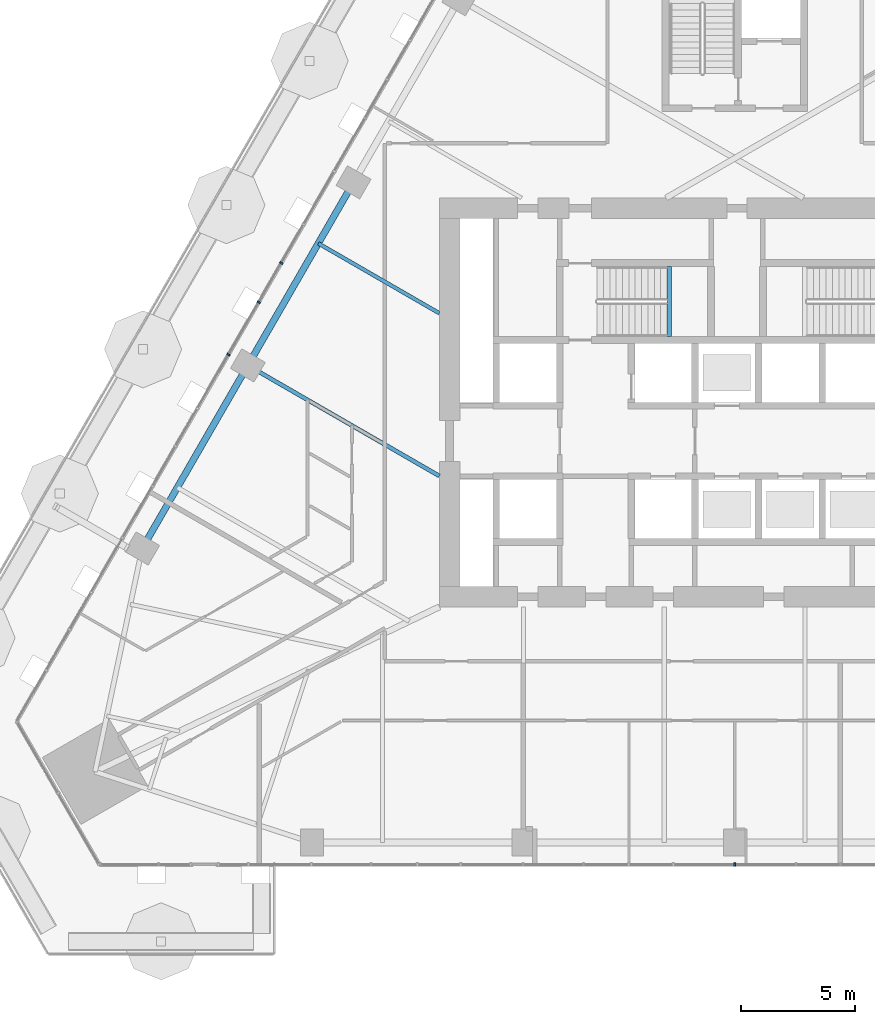
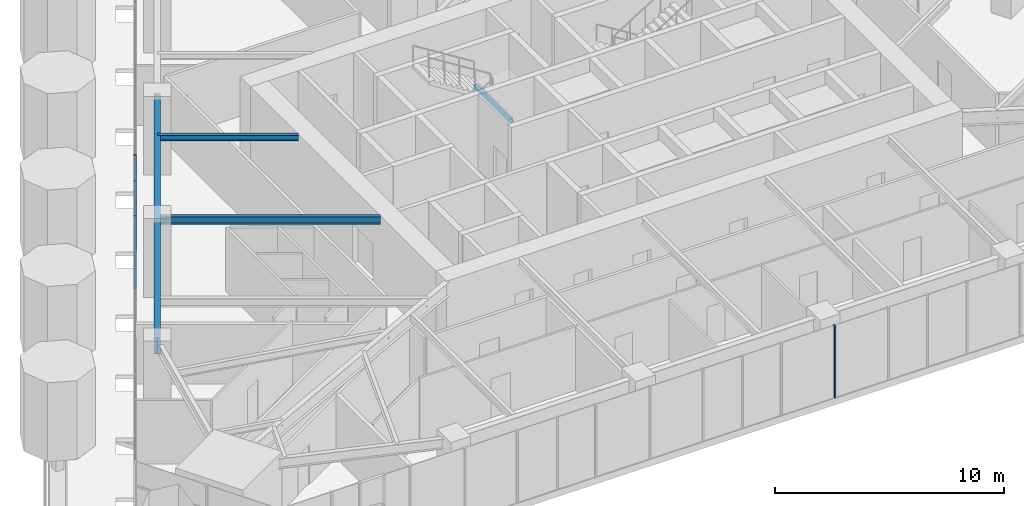
# One storey, part 3 of 25: 4 beams, 4 members, 2 elements without a shape of their own.
"""IFC4 building model written with IfcOpenShell, lengths in metres."""

from ifc_helpers import new_model, si_unit, direction, frame, origin, origin_2d, place, context, subcontext, project, spatial, rectangle, i_section, extrude, material, layer, layer_set, material_profile, profile_set, type_object, element, aggregate, save


model = new_model("IFC4")

# Units and contexts
model_context = context("Model", 3, precision=1e-05, world=origin(), true_north=direction((0.0, 1.0)))
body_context = subcontext(model_context, "Body", "Model", "MODEL_VIEW")
ifc_project = project(units=[si_unit("LENGTHUNIT", "METRE"), si_unit("AREAUNIT", "SQUARE_METRE"), si_unit("VOLUMEUNIT", "CUBIC_METRE"), si_unit("PLANEANGLEUNIT", "RADIAN"), si_unit("MASSUNIT", "GRAM", prefix="KILO")], contexts=[model_context])

# Site, building, storey
site_placement = place(None, origin())
site = spatial("IfcSite", under=ifc_project, at=site_placement, CompositionType="ELEMENT")
building_placement = place(site_placement, origin())
building = spatial("IfcBuilding", under=site, at=building_placement, Name="Firuza Gate Tower and Library", CompositionType="ELEMENT")
storey_placement = place(building_placement, frame((0.0, 0.0, 119.800048828125)))
storey = spatial("IfcBuildingStorey", under=building, at=storey_placement, Name="L27", CompositionType="ELEMENT", Elevation=119.800048828125)

# Curtain wall, member
ifc_material_1 = material(Name="Aluminium 6063-T6", Category="aluminium")
ifc_layer = layer(ifc_material_1, 0.14990234375)
ifc_layer_set = layer_set([ifc_layer], Name="Unitised curtain wall, offices")
curtain_wall_type = type_object("IfcCurtainWallType", Name="Unitised curtain wall, offices", PredefinedType="NOTDEFINED", material=ifc_layer_set)
placement = place(storey_placement, origin())
curtain_wall_1 = element("IfcCurtainWall", 1, at=placement, inside=storey, type_object=curtain_wall_type, Name="CW1 L27 S face", PredefinedType="NOTDEFINED")
ifc_material_2 = material(Name="Aluminium 6063-T6", Category="aluminium")
ifc_material_profile_1 = material_profile(ifc_material_2, rectangle(XDim=0.14990234375, YDim=0.080078125, at=origin_2d()))
ifc_profile_set_1 = profile_set([ifc_material_profile_1], Name="Aluminium 6063-T6")
member_type = type_object("IfcMemberType", Name="Curtain wall mullion 80x150", PredefinedType="MULLION", material=ifc_profile_set_1)
member_1_placement = place(storey_placement, frame((75.0, 54.6513671875, 0.14990234375), z_axis=(0.0, 0.0, 1.0), x_axis=(0.0, 1.0, 0.0)))
member_1 = element("IfcMember", 2, at=member_1_placement, type_object=member_type, Name="Mullion", PredefinedType="MULLION", context=body_context, shape_type="SweptSolid", body=[
    extrude(rectangle(XDim=0.14990234375, YDim=0.080078125, at=origin_2d()), origin(), (0.0, 0.0, 1.0), 3.85009765625),
])
aggregate(curtain_wall_1, [member_1])

# Curtain wall, members
curtain_wall_2 = element("IfcCurtainWall", 3, at=placement, inside=storey, type_object=curtain_wall_type, Name="CW1 L27 W face", PredefinedType="NOTDEFINED")
member_2_placement = place(storey_placement, frame((55.047607421875, 81.138916015625, 0.14990234375), z_axis=(0.0, 0.0, 1.0), x_axis=(0.866025403784, -0.5, 0.0)))
member_2 = element("IfcMember", 4, at=member_2_placement, type_object=member_type, Name="Mullion", PredefinedType="MULLION", context=body_context, shape_type="SweptSolid", body=[
    extrude(rectangle(XDim=0.14990234375, YDim=0.080078125, at=origin_2d()), origin(), (0.0, 0.0, 1.0), 3.85009765625),
])
member_3_placement = place(storey_placement, frame((52.7177734375, 77.103515625, 0.14990234375), z_axis=(0.0, 0.0, 1.0), x_axis=(0.866025403784, -0.5, 0.0)))
member_3 = element("IfcMember", 5, at=member_3_placement, type_object=member_type, Name="Mullion", PredefinedType="MULLION", context=body_context, shape_type="SweptSolid", body=[
    extrude(rectangle(XDim=0.14990234375, YDim=0.080078125, at=origin_2d()), origin(), (0.0, 0.0, 1.0), 3.85009765625),
])
member_4_placement = place(storey_placement, frame((54.05078125, 79.412109375, 0.14990234375), z_axis=(0.0, 0.0, 1.0), x_axis=(0.866025403784, -0.5, 0.0)))
member_4 = element("IfcMember", 6, at=member_4_placement, type_object=member_type, Name="Mullion", PredefinedType="MULLION", context=body_context, shape_type="SweptSolid", body=[
    extrude(rectangle(XDim=0.14990234375, YDim=0.080078125, at=origin_2d()), origin(), (0.0, 0.0, 1.0), 3.85009765625),
])
aggregate(curtain_wall_2, [member_2, member_3, member_4])

# Beams
ifc_material_3 = material(Name="Concrete C35/45", Category="concrete")
ifc_material_profile_2 = material_profile(ifc_material_3, rectangle(XDim=0.199951171875, YDim=0.199951171875, at=origin_2d()))
ifc_profile_set_2 = profile_set([ifc_material_profile_2], Name="Concrete C35/45")
beam_type_1 = type_object("IfcBeamType", Name="Stair landing bearer 200x200", PredefinedType="BEAM", material=ifc_profile_set_2)
beam_1_placement = place(storey_placement, frame((72.1201171875, 77.89990234375, 1.800048828125), z_axis=(0.0, 1.0, 0.0), x_axis=(-1.0, 0.0, 0.0)))
element("IfcBeam", 7, at=beam_1_placement, inside=storey, type_object=beam_type_1, Name="Landing bearer L27 stair 1", PredefinedType="BEAM", context=body_context, shape_type="SweptSolid", body=[
    extrude(rectangle(XDim=0.199951171875, YDim=0.199951171875, at=origin_2d()), origin(), (0.0, 0.0, 1.0), 3.080078125),
])
ifc_material_4 = material(Name="Steel S355", Category="steel")
ifc_material_profile_3 = material_profile(ifc_material_4, i_section(OverallWidth=0.1650390625, OverallDepth=0.31005859375, WebThickness=0.005859375, FlangeThickness=0.009765625, at=origin_2d()))
ifc_profile_set_3 = profile_set([ifc_material_profile_3], Name="Steel S355")
beam_type_2 = type_object("IfcBeamType", Name="W310x39 Floor beam", PredefinedType="JOIST", material=ifc_profile_set_3)
beam_2_placement = place(storey_placement, frame((56.6708984375, 82.000732421875, 3.844970703125), z_axis=(0.866032304456, -0.499988047496, 0.0), x_axis=(0.499988047496, 0.866032304456, 0.0)))
element("IfcBeam", 8, at=beam_2_placement, inside=storey, type_object=beam_type_2, Name="Floor beam L27 s83", PredefinedType="JOIST", context=body_context, shape_type="SweptSolid", body=[
    extrude(i_section(OverallWidth=0.1650390625, OverallDepth=0.31005859375, WebThickness=0.005859375, FlangeThickness=0.009765625, at=origin_2d()), origin(), (0.0, 0.0, 1.0), 6.153564453125),
])
ifc_material_5 = material(Name="Steel S355", Category="steel")
ifc_material_profile_4 = material_profile(ifc_material_5, i_section(OverallWidth=0.177978515625, OverallDepth=0.406982421875, WebThickness=0.0078125, FlangeThickness=0.0126953125, at=origin_2d()))
ifc_profile_set_4 = profile_set([ifc_material_profile_4], Name="Steel S355")
beam_type_3 = type_object("IfcBeamType", Name="W410x60 Floor beam", PredefinedType="JOIST", material=ifc_profile_set_4)
beam_3_placement = place(storey_placement, frame((53.5693359375, 76.62841796875, 3.79638671875), z_axis=(0.866026049877, -0.499998880933, 0.0), x_axis=(0.499998880933, 0.866026049877, 0.0)))
element("IfcBeam", 9, at=beam_3_placement, inside=storey, type_object=beam_type_3, Name="Floor beam L27 s84", PredefinedType="JOIST", context=body_context, shape_type="SweptSolid", body=[
    extrude(i_section(OverallWidth=0.177978515625, OverallDepth=0.406982421875, WebThickness=0.0078125, FlangeThickness=0.0126953125, at=origin_2d()), origin(), (0.0, 0.0, 1.0), 9.73486328125),
])
ifc_material_6 = material(Name="Steel S355", Category="steel")
ifc_material_profile_5 = material_profile(ifc_material_6, i_section(OverallWidth=0.2919921875, OverallDepth=0.8349609375, WebThickness=0.013916015625, FlangeThickness=0.018798828125, at=origin_2d()))
ifc_profile_set_5 = profile_set([ifc_material_profile_5], Name="Steel S355")
beam_type_4 = type_object("IfcBeamType", Name="W840x176 Edge beam", PredefinedType="SPANDREL", material=ifc_profile_set_5)
beam_4_placement = place(storey_placement, frame((58.221923828125, 84.686767578125, 3.58251953125), z_axis=(-0.500007864632, -0.86602086309, 0.0), x_axis=(0.86602086309, -0.500007864632, 0.0)))
element("IfcBeam", 10, at=beam_4_placement, inside=storey, type_object=beam_type_4, Name="Edge beam L27 e82", PredefinedType="SPANDREL", context=body_context, shape_type="SweptSolid", body=[
    extrude(i_section(OverallWidth=0.2919921875, OverallDepth=0.8349609375, WebThickness=0.013916015625, FlangeThickness=0.018798828125, at=origin_2d()), origin(), (0.0, 0.0, 1.0), 18.610107421875),
])

save(model, "model.ifc")
